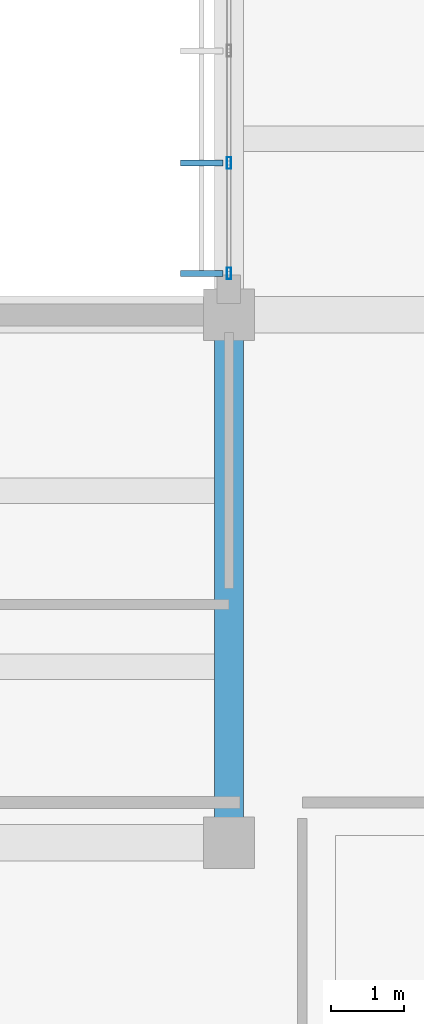
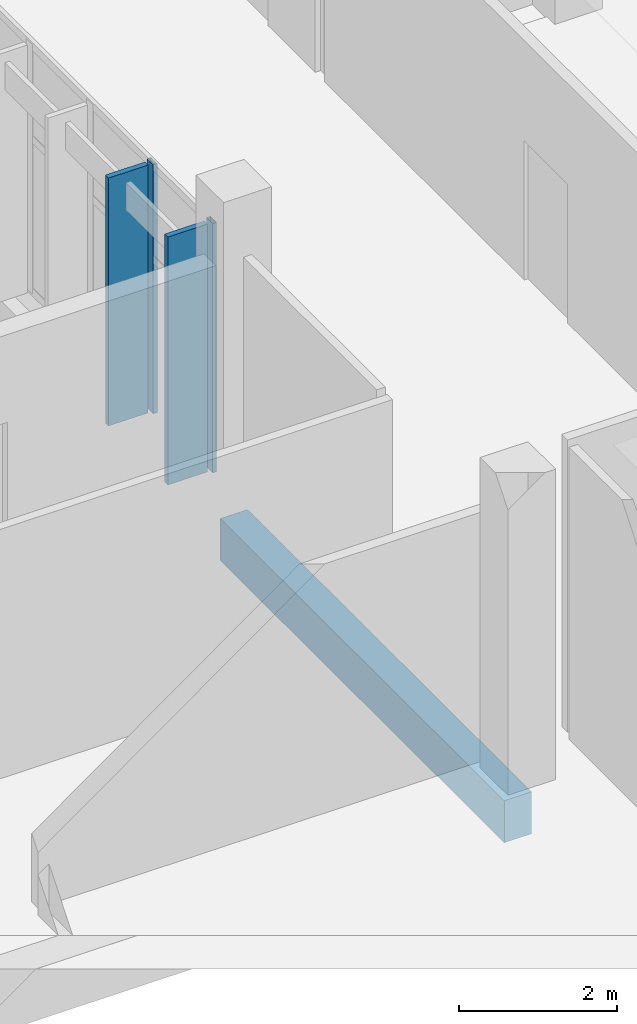
# One storey, part 72 of 151: 4 members, 1 beam, 1 element without a shape of its own.
"""IFC4 building model written with IfcOpenShell, lengths in metres."""

from ifc_helpers import new_model, si_unit, direction, frame, origin, origin_2d, place, context, subcontext, project, spatial, rectangle, hollow_rectangle, extrude, material, material_profile, profile_set, type_object, element, aggregate, save


model = new_model("IFC4")

# Units and contexts
model_context = context("Model", 3, precision=1e-05, world=origin(), true_north=direction((0.0, 1.0)))
body_context = subcontext(model_context, "Body", "Model", "MODEL_VIEW")
ifc_project = project(units=[si_unit("LENGTHUNIT", "METRE"), si_unit("AREAUNIT", "SQUARE_METRE"), si_unit("VOLUMEUNIT", "CUBIC_METRE"), si_unit("PLANEANGLEUNIT", "RADIAN"), si_unit("MASSUNIT", "GRAM", prefix="KILO")], contexts=[model_context])

# Site, building, storey
site_placement = place(None, origin())
site = spatial("IfcSite", under=ifc_project, at=site_placement, CompositionType="ELEMENT")
building_placement = place(site_placement, origin())
building = spatial("IfcBuilding", under=site, at=building_placement, Name="Chiffa Square Polytechnic", CompositionType="ELEMENT")
storey_placement = place(building_placement, origin())
storey = spatial("IfcBuildingStorey", under=building, at=storey_placement, Name="L00", CompositionType="ELEMENT", Elevation=0.0)

# Beam
ifc_material_1 = material(Name="Concrete C35/45", Category="concrete")
ifc_material_profile_1 = material_profile(ifc_material_1, rectangle(XDim=0.39990234375, YDim=0.64990234375, at=origin_2d()), Name="RC 400x650")
ifc_profile_set_1 = profile_set([ifc_material_profile_1], Name="Concrete C35/45")
beam_type = type_object("IfcBeamType", Name="BM-RC-400X650", PredefinedType="BEAM", material=ifc_profile_set_1)
beam_placement = place(storey_placement, frame((148.199951171875, 21.60009765625, -0.675048828125), z_axis=(0.0, 1.0, 0.0), x_axis=(-1.0, 0.0, 0.0)))
element("IfcBeam", 1, at=beam_placement, inside=storey, type_object=beam_type, Name="Primary floor girder BM-V1-L00-Y-1482-0216", PredefinedType="BEAM", context=body_context, shape_type="SweptSolid", body=[
    extrude(rectangle(XDim=0.39990234375, YDim=0.64990234375, at=origin_2d()), origin(), (0.0, 0.0, 1.0), 7.199951171875),
])

# Curtain wall, members
ifc_material_2 = material(Name="Aluminium EN AW-6060 T66 and glulam shading", Category="wood")
curtain_wall_type = type_object("IfcCurtainWallType", Name="CW-VERT-480X380", PredefinedType="USERDEFINED", material=ifc_material_2)
curtain_wall_placement = place(storey_placement, origin())
curtain_wall = element("IfcCurtainWall", 2, at=curtain_wall_placement, inside=storey, type_object=curtain_wall_type, Name="Curtain wall CW-V1-L00-126", ObjectType="CURTAIN WALL", PredefinedType="USERDEFINED")
ifc_material_3 = material(Name="Aluminium EN AW-6060 T66", Category="aluminium")
ifc_material_profile_2 = material_profile(ifc_material_3, hollow_rectangle(XDim=0.06005859375, YDim=0.159912109375, WallThickness=0.00390625, at=origin_2d()), Name="ALU 60x160x4")
ifc_profile_set_2 = profile_set([ifc_material_profile_2], Name="Aluminium EN AW-6060 T66")
member_type_1 = type_object("IfcMemberType", Name="CWM-ALU-65X150", PredefinedType="MULLION", material=ifc_profile_set_2)
member_1_placement = place(storey_placement, frame((148.199951171875, 30.8701171875, 0.0), z_axis=(0.0, 0.0, 1.0), x_axis=(1.0, 0.0, 0.0)))
member_1 = element("IfcMember", 3, at=member_1_placement, type_object=member_type_1, Name="Curtain wall mullion CW-V1-L00-126-M03", PredefinedType="MULLION", context=body_context, shape_type="SweptSolid", body=[
    extrude(hollow_rectangle(XDim=0.06005859375, YDim=0.159912109375, WallThickness=0.00390625, at=origin_2d()), origin(), (0.0, 0.0, 1.0), 3.85498046875),
])
member_2_placement = place(storey_placement, frame((148.199951171875, 29.364990234375, 0.0), z_axis=(0.0, 0.0, 1.0), x_axis=(1.0, 0.0, 0.0)))
member_2 = element("IfcMember", 4, at=member_2_placement, type_object=member_type_1, Name="Curtain wall mullion CW-V1-L00-126-M04", PredefinedType="MULLION", context=body_context, shape_type="SweptSolid", body=[
    extrude(hollow_rectangle(XDim=0.06005859375, YDim=0.159912109375, WallThickness=0.00390625, at=origin_2d()), origin(), (0.0, 0.0, 1.0), 3.85498046875),
])
ifc_material_4 = material(Name="Glulam GL28h", Category="wood")
ifc_material_profile_3 = material_profile(ifc_material_4, rectangle(XDim=0.080078125, YDim=0.580078125, at=origin_2d()), Name="GL28h 80x580")
ifc_profile_set_3 = profile_set([ifc_material_profile_3], Name="Glulam GL28h")
member_type_2 = type_object("IfcMemberType", Name="CWM-GL-80X580", PredefinedType="MULLION", material=ifc_profile_set_3)
member_3_placement = place(storey_placement, frame((147.827880859375, 30.8701171875, 0.010009765625), z_axis=(0.0, 0.0, 1.0), x_axis=(0.0, -1.0, 0.0)))
member_3 = element("IfcMember", 5, at=member_3_placement, type_object=member_type_2, Name="Exterior glulam solar fin CW-V1-L00-126-FN03", PredefinedType="MULLION", context=body_context, shape_type="SweptSolid", body=[
    extrude(rectangle(XDim=0.080078125, YDim=0.580078125, at=origin_2d()), origin(), (0.0, 0.0, 1.0), 3.8349609375),
])
member_4_placement = place(storey_placement, frame((147.827880859375, 29.364990234375, 0.010009765625), z_axis=(0.0, 0.0, 1.0), x_axis=(0.0, -1.0, 0.0)))
member_4 = element("IfcMember", 6, at=member_4_placement, type_object=member_type_2, Name="Exterior glulam solar fin CW-V1-L00-126-FN04", PredefinedType="MULLION", context=body_context, shape_type="SweptSolid", body=[
    extrude(rectangle(XDim=0.080078125, YDim=0.580078125, at=origin_2d()), origin(), (0.0, 0.0, 1.0), 3.8349609375),
])
aggregate(curtain_wall, [member_1, member_3, member_2, member_4])

save(model, "model.ifc")
